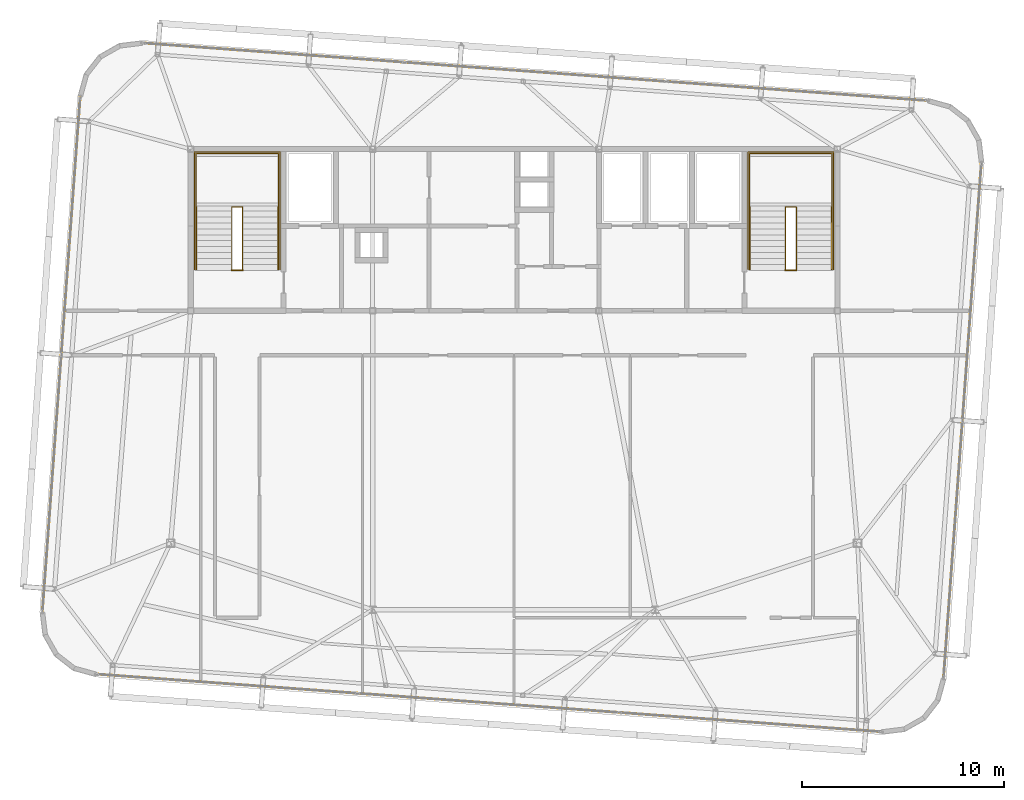
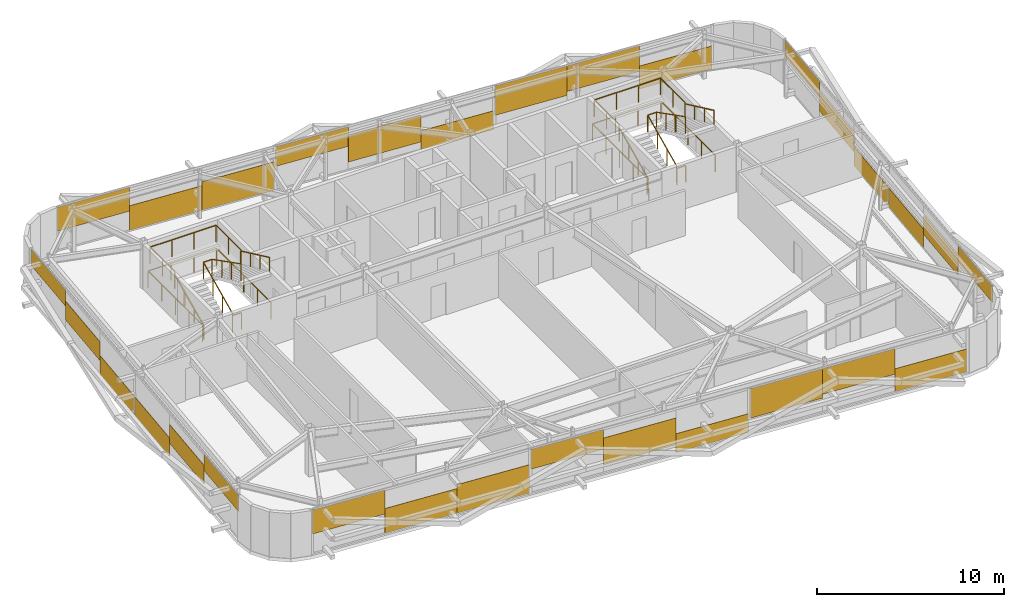
# One storey, part 34 of 34: 30 coverings, 12 railings.
"""IFC4 building model written with IfcOpenShell, lengths in metres."""

from ifc_helpers import new_model, si_unit, direction, frame, origin, origin_2d, place, context, subcontext, project, spatial, rectangle, extrude, source, transform, mapped, material, layer, layer_set, type_object, element, save


model = new_model("IFC4")

# Units and contexts
model_context = context("Model", 3, precision=1e-05, world=origin(), true_north=direction((0.0, 1.0)))
body_context = subcontext(model_context, "Body", "Model", "MODEL_VIEW")
ifc_project = project(units=[si_unit("LENGTHUNIT", "METRE"), si_unit("AREAUNIT", "SQUARE_METRE"), si_unit("VOLUMEUNIT", "CUBIC_METRE"), si_unit("PLANEANGLEUNIT", "RADIAN"), si_unit("MASSUNIT", "GRAM", prefix="KILO")], contexts=[model_context])

# Site, building, storey
site_placement = place(None, origin())
site = spatial("IfcSite", under=ifc_project, at=site_placement, CompositionType="ELEMENT")
building_placement = place(site_placement, origin())
building = spatial("IfcBuilding", under=site, at=building_placement, Name="Taldren Reach Tower", CompositionType="ELEMENT")
storey_placement = place(building_placement, frame((0.0, 0.0, 246.050048828125)))
storey = spatial("IfcBuildingStorey", under=building, at=storey_placement, Name="L75", CompositionType="ELEMENT", Elevation=246.050048828125)

# Railings
ifc_material_1 = material(Name="Steel Gr 350 (C350L0)", Category="steel")
ifc_layer_1 = layer(ifc_material_1, 0.050048828125)
ifc_layer_set_1 = layer_set([ifc_layer_1], Name="Steel Gr 350 (C350L0)")
railing_type_1 = type_object("IfcRailingType", Name="RL-STAIR-GR", PredefinedType="GUARDRAIL", material=ifc_layer_set_1)
railing_1_placement = place(storey_placement, frame((19.260009765625, 29.135009765625, 1.574951171875)))
element("IfcRailing", 1, at=railing_1_placement, inside=storey, type_object=railing_type_1, Name="Stair half-landing perimeter guard ST1-L75", PredefinedType="GUARDRAIL", context=body_context, shape_type="SweptSolid", body=[
    extrude(rectangle(XDim=0.047852, YDim=0.047852, at=origin_2d()), frame((0.0, 0.0, 1.09619140625), z_axis=(0.0, 1.0, 0.0), x_axis=(-1.0, 0.0, 0.0)), (0.0, 0.0, 1.0), 2.64501953125),
    extrude(rectangle(XDim=0.047852, YDim=0.047852, at=origin_2d()), frame((0.0, 2.64501953125, 1.09619140625), z_axis=(1.0, 0.0, 0.0), x_axis=(0.0, 1.0, 0.0)), (0.0, 0.0, 1.0), 4.080078125),
    extrude(rectangle(XDim=0.047852, YDim=0.047852, at=origin_2d()), frame((4.080078125, 2.64501953125, 1.09619140625), z_axis=(0.0, -1.0, 0.0), x_axis=(1.0, 0.0, 0.0)), (0.0, 0.0, 1.0), 2.64501953125),
    extrude(rectangle(XDim=0.041992, YDim=0.041992, at=origin_2d()), origin(), (0.0, 0.0, 1.0), 1.072021484375),
    extrude(rectangle(XDim=0.041992, YDim=0.041992, at=origin_2d()), frame((0.0, 1.322509765625, 0.0)), (0.0, 0.0, 1.0), 1.072021484375),
    extrude(rectangle(XDim=0.041992, YDim=0.041992, at=origin_2d()), frame((0.0, 2.64501953125, 0.0)), (0.0, 0.0, 1.0), 1.072021484375),
    extrude(rectangle(XDim=0.041992, YDim=0.041992, at=origin_2d()), frame((1.360107421875, 2.64501953125, 0.0)), (0.0, 0.0, 1.0), 1.072021484375),
    extrude(rectangle(XDim=0.041992, YDim=0.041992, at=origin_2d()), frame((2.719970703125, 2.64501953125, 0.0)), (0.0, 0.0, 1.0), 1.072021484375),
    extrude(rectangle(XDim=0.041992, YDim=0.041992, at=origin_2d()), frame((4.080078125, 2.64501953125, 0.0)), (0.0, 0.0, 1.0), 1.072021484375),
    extrude(rectangle(XDim=0.041992, YDim=0.041992, at=origin_2d()), frame((4.080078125, 1.322509765625, 0.0)), (0.0, 0.0, 1.0), 1.072021484375),
    extrude(rectangle(XDim=0.041992, YDim=0.041992, at=origin_2d()), frame((4.080078125, 0.0, 0.0)), (0.0, 0.0, 1.0), 1.072021484375),
])
railing_2_placement = place(storey_placement, frame((21.030029296875, 26.050048828125, 0.13134765625)))
element("IfcRailing", 2, at=railing_2_placement, inside=storey, type_object=railing_type_1, Name="Stairwell inner guard ST1-L75", PredefinedType="GUARDRAIL", context=body_context, shape_type="SweptSolid", body=[
    extrude(rectangle(XDim=0.047852, YDim=0.047852, at=origin_2d()), frame((0.0, 0.0, 1.09619140625), z_axis=(0.0, 0.905737652094, 0.423838773095), x_axis=(-1.0, 0.0, 0.0)), (0.0, 0.0, 1.0), 3.406005859375),
    extrude(rectangle(XDim=0.047852, YDim=0.047852, at=origin_2d()), frame((0.0, 3.0849609375, 2.53955078125), z_axis=(1.0, 0.0, 0.0), x_axis=(0.0, 1.0, 0.0)), (0.0, 0.0, 1.0), 0.5400390625),
    extrude(rectangle(XDim=0.047852, YDim=0.047852, at=origin_2d()), frame((0.5400390625, 3.0849609375, 2.53955078125), z_axis=(0.0, -0.890645957773, 0.45469745755), x_axis=(1.0, 0.0, 0.0)), (0.0, 0.0, 1.0), 3.463623046875),
    extrude(rectangle(XDim=0.041992, YDim=0.041992, at=origin_2d()), origin(), (0.0, 0.0, 1.0), 1.072021484375),
    extrude(rectangle(XDim=0.041992, YDim=0.041992, at=origin_2d()), frame((0.0, 1.0283203125, 0.481201171875)), (0.0, 0.0, 1.0), 1.072021484375),
    extrude(rectangle(XDim=0.041992, YDim=0.041992, at=origin_2d()), frame((0.0, 2.056640625, 0.96240234375)), (0.0, 0.0, 1.0), 1.072021484375),
    extrude(rectangle(XDim=0.041992, YDim=0.041992, at=origin_2d()), frame((0.0, 3.0849609375, 1.443603515625)), (0.0, 0.0, 1.0), 1.072021484375),
    extrude(rectangle(XDim=0.041992, YDim=0.041992, at=origin_2d()), frame((0.5400390625, 3.0849609375, 1.443603515625)), (0.0, 0.0, 1.0), 1.072021484375),
    extrude(rectangle(XDim=0.041992, YDim=0.041992, at=origin_2d()), frame((0.5400390625, 2.056640625, 1.968505859375)), (0.0, 0.0, 1.0), 1.072021484375),
    extrude(rectangle(XDim=0.041992, YDim=0.041992, at=origin_2d()), frame((0.5400390625, 1.0283203125, 2.49365234375)), (0.0, 0.0, 1.0), 1.072021484375),
    extrude(rectangle(XDim=0.041992, YDim=0.041992, at=origin_2d()), frame((0.5400390625, 0.0, 3.0185546875)), (0.0, 0.0, 1.0), 1.072021484375),
])
railing_3_placement = place(storey_placement, frame((21.030029296875, 26.010009765625, 0.0)))
element("IfcRailing", 3, at=railing_3_placement, inside=storey, type_object=railing_type_1, Name="Stairwell landing slot guard ST1-L75", PredefinedType="GUARDRAIL", context=body_context, shape_type="SweptSolid", body=[
    extrude(rectangle(XDim=0.047852, YDim=0.047852, at=origin_2d()), frame((0.0, 0.0, 1.09619140625), z_axis=(1.0, 0.0, 0.0), x_axis=(0.0, 1.0, 0.0)), (0.0, 0.0, 1.0), 0.5400390625),
    extrude(rectangle(XDim=0.041992, YDim=0.041992, at=origin_2d()), origin(), (0.0, 0.0, 1.0), 1.072021484375),
    extrude(rectangle(XDim=0.041992, YDim=0.041992, at=origin_2d()), frame((0.5400390625, 0.0, 0.0)), (0.0, 0.0, 1.0), 1.072021484375),
])
railing_4_placement = place(storey_placement, frame((19.18994140625, 26.050048828125, 0.0)))
element("IfcRailing", 4, at=railing_4_placement, inside=storey, type_object=railing_type_1, Name="Stairwell floor opening guard ST1-L75", PredefinedType="GUARDRAIL", context=body_context, shape_type="SweptSolid", body=[
    extrude(rectangle(XDim=0.047852, YDim=0.047852, at=origin_2d()), frame((0.0, 0.0, 1.09619140625), z_axis=(0.0, 1.0, 0.0), x_axis=(-1.0, 0.0, 0.0)), (0.0, 0.0, 1.0), 5.800048828125),
    extrude(rectangle(XDim=0.047852, YDim=0.047852, at=origin_2d()), frame((0.0, 5.800048828125, 1.09619140625), z_axis=(1.0, 0.0, 0.0), x_axis=(0.0, 1.0, 0.0)), (0.0, 0.0, 1.0), 4.219970703125),
    extrude(rectangle(XDim=0.047852, YDim=0.047852, at=origin_2d()), frame((4.219970703125, 5.800048828125, 1.09619140625), z_axis=(0.0, -1.0, 0.0), x_axis=(1.0, 0.0, 0.0)), (0.0, 0.0, 1.0), 5.800048828125),
    extrude(rectangle(XDim=0.041992, YDim=0.041992, at=origin_2d()), origin(), (0.0, 0.0, 1.0), 1.072021484375),
    extrude(rectangle(XDim=0.041992, YDim=0.041992, at=origin_2d()), frame((0.0, 1.449951171875, 0.0)), (0.0, 0.0, 1.0), 1.072021484375),
    extrude(rectangle(XDim=0.041992, YDim=0.041992, at=origin_2d()), frame((0.0, 2.89990234375, 0.0)), (0.0, 0.0, 1.0), 1.072021484375),
    extrude(rectangle(XDim=0.041992, YDim=0.041992, at=origin_2d()), frame((0.0, 4.35009765625, 0.0)), (0.0, 0.0, 1.0), 1.072021484375),
    extrude(rectangle(XDim=0.041992, YDim=0.041992, at=origin_2d()), frame((0.0, 5.800048828125, 0.0)), (0.0, 0.0, 1.0), 1.072021484375),
    extrude(rectangle(XDim=0.041992, YDim=0.041992, at=origin_2d()), frame((1.40673828125, 5.800048828125, 0.0)), (0.0, 0.0, 1.0), 1.072021484375),
    extrude(rectangle(XDim=0.041992, YDim=0.041992, at=origin_2d()), frame((2.813232421875, 5.800048828125, 0.0)), (0.0, 0.0, 1.0), 1.072021484375),
    extrude(rectangle(XDim=0.041992, YDim=0.041992, at=origin_2d()), frame((4.219970703125, 5.800048828125, 0.0)), (0.0, 0.0, 1.0), 1.072021484375),
    extrude(rectangle(XDim=0.041992, YDim=0.041992, at=origin_2d()), frame((4.219970703125, 4.35009765625, 0.0)), (0.0, 0.0, 1.0), 1.072021484375),
    extrude(rectangle(XDim=0.041992, YDim=0.041992, at=origin_2d()), frame((4.219970703125, 2.89990234375, 0.0)), (0.0, 0.0, 1.0), 1.072021484375),
    extrude(rectangle(XDim=0.041992, YDim=0.041992, at=origin_2d()), frame((4.219970703125, 1.449951171875, 0.0)), (0.0, 0.0, 1.0), 1.072021484375),
    extrude(rectangle(XDim=0.041992, YDim=0.041992, at=origin_2d()), frame((4.219970703125, 0.0, 0.0)), (0.0, 0.0, 1.0), 1.072021484375),
])
railing_5_placement = place(storey_placement, frame((46.659912109375, 29.135009765625, 1.574951171875)))
element("IfcRailing", 5, at=railing_5_placement, inside=storey, type_object=railing_type_1, Name="Stair half-landing perimeter guard ST2-L75", PredefinedType="GUARDRAIL", context=body_context, shape_type="SweptSolid", body=[
    extrude(rectangle(XDim=0.047852, YDim=0.047852, at=origin_2d()), frame((0.0, 0.0, 1.09619140625), z_axis=(0.0, 1.0, 0.0), x_axis=(-1.0, 0.0, 0.0)), (0.0, 0.0, 1.0), 2.64501953125),
    extrude(rectangle(XDim=0.047852, YDim=0.047852, at=origin_2d()), frame((0.0, 2.64501953125, 1.09619140625), z_axis=(1.0, 0.0, 0.0), x_axis=(0.0, 1.0, 0.0)), (0.0, 0.0, 1.0), 4.080078125),
    extrude(rectangle(XDim=0.047852, YDim=0.047852, at=origin_2d()), frame((4.080078125, 2.64501953125, 1.09619140625), z_axis=(0.0, -1.0, 0.0), x_axis=(1.0, 0.0, 0.0)), (0.0, 0.0, 1.0), 2.64501953125),
    extrude(rectangle(XDim=0.041992, YDim=0.041992, at=origin_2d()), origin(), (0.0, 0.0, 1.0), 1.072021484375),
    extrude(rectangle(XDim=0.041992, YDim=0.041992, at=origin_2d()), frame((0.0, 1.322509765625, 0.0)), (0.0, 0.0, 1.0), 1.072021484375),
    extrude(rectangle(XDim=0.041992, YDim=0.041992, at=origin_2d()), frame((0.0, 2.64501953125, 0.0)), (0.0, 0.0, 1.0), 1.072021484375),
    extrude(rectangle(XDim=0.041992, YDim=0.041992, at=origin_2d()), frame((1.360107421875, 2.64501953125, 0.0)), (0.0, 0.0, 1.0), 1.072021484375),
    extrude(rectangle(XDim=0.041992, YDim=0.041992, at=origin_2d()), frame((2.719970703125, 2.64501953125, 0.0)), (0.0, 0.0, 1.0), 1.072021484375),
    extrude(rectangle(XDim=0.041992, YDim=0.041992, at=origin_2d()), frame((4.080078125, 2.64501953125, 0.0)), (0.0, 0.0, 1.0), 1.072021484375),
    extrude(rectangle(XDim=0.041992, YDim=0.041992, at=origin_2d()), frame((4.080078125, 1.322509765625, 0.0)), (0.0, 0.0, 1.0), 1.072021484375),
    extrude(rectangle(XDim=0.041992, YDim=0.041992, at=origin_2d()), frame((4.080078125, 0.0, 0.0)), (0.0, 0.0, 1.0), 1.072021484375),
])
railing_6_placement = place(storey_placement, frame((48.429931640625, 26.050048828125, 0.13134765625)))
element("IfcRailing", 6, at=railing_6_placement, inside=storey, type_object=railing_type_1, Name="Stairwell inner guard ST2-L75", PredefinedType="GUARDRAIL", context=body_context, shape_type="SweptSolid", body=[
    extrude(rectangle(XDim=0.047852, YDim=0.047852, at=origin_2d()), frame((0.0, 0.0, 1.09619140625), z_axis=(0.0, 0.905737652094, 0.423838773095), x_axis=(-1.0, 0.0, 0.0)), (0.0, 0.0, 1.0), 3.406005859375),
    extrude(rectangle(XDim=0.047852, YDim=0.047852, at=origin_2d()), frame((0.0, 3.0849609375, 2.53955078125), z_axis=(1.0, 0.0, 0.0), x_axis=(0.0, 1.0, 0.0)), (0.0, 0.0, 1.0), 0.5400390625),
    extrude(rectangle(XDim=0.047852, YDim=0.047852, at=origin_2d()), frame((0.5400390625, 3.0849609375, 2.53955078125), z_axis=(0.0, -0.890645957773, 0.45469745755), x_axis=(1.0, 0.0, 0.0)), (0.0, 0.0, 1.0), 3.463623046875),
    extrude(rectangle(XDim=0.041992, YDim=0.041992, at=origin_2d()), origin(), (0.0, 0.0, 1.0), 1.072021484375),
    extrude(rectangle(XDim=0.041992, YDim=0.041992, at=origin_2d()), frame((0.0, 1.0283203125, 0.481201171875)), (0.0, 0.0, 1.0), 1.072021484375),
    extrude(rectangle(XDim=0.041992, YDim=0.041992, at=origin_2d()), frame((0.0, 2.056640625, 0.96240234375)), (0.0, 0.0, 1.0), 1.072021484375),
    extrude(rectangle(XDim=0.041992, YDim=0.041992, at=origin_2d()), frame((0.0, 3.0849609375, 1.443603515625)), (0.0, 0.0, 1.0), 1.072021484375),
    extrude(rectangle(XDim=0.041992, YDim=0.041992, at=origin_2d()), frame((0.5400390625, 3.0849609375, 1.443603515625)), (0.0, 0.0, 1.0), 1.072021484375),
    extrude(rectangle(XDim=0.041992, YDim=0.041992, at=origin_2d()), frame((0.5400390625, 2.056640625, 1.968505859375)), (0.0, 0.0, 1.0), 1.072021484375),
    extrude(rectangle(XDim=0.041992, YDim=0.041992, at=origin_2d()), frame((0.5400390625, 1.0283203125, 2.49365234375)), (0.0, 0.0, 1.0), 1.072021484375),
    extrude(rectangle(XDim=0.041992, YDim=0.041992, at=origin_2d()), frame((0.5400390625, 0.0, 3.0185546875)), (0.0, 0.0, 1.0), 1.072021484375),
])
railing_7_placement = place(storey_placement, frame((48.429931640625, 26.010009765625, 0.0)))
element("IfcRailing", 7, at=railing_7_placement, inside=storey, type_object=railing_type_1, Name="Stairwell landing slot guard ST2-L75", PredefinedType="GUARDRAIL", context=body_context, shape_type="SweptSolid", body=[
    extrude(rectangle(XDim=0.047852, YDim=0.047852, at=origin_2d()), frame((0.0, 0.0, 1.09619140625), z_axis=(1.0, 0.0, 0.0), x_axis=(0.0, 1.0, 0.0)), (0.0, 0.0, 1.0), 0.5400390625),
    extrude(rectangle(XDim=0.041992, YDim=0.041992, at=origin_2d()), origin(), (0.0, 0.0, 1.0), 1.072021484375),
    extrude(rectangle(XDim=0.041992, YDim=0.041992, at=origin_2d()), frame((0.5400390625, 0.0, 0.0)), (0.0, 0.0, 1.0), 1.072021484375),
])
railing_8_placement = place(storey_placement, frame((46.590087890625, 26.050048828125, 0.0)))
element("IfcRailing", 8, at=railing_8_placement, inside=storey, type_object=railing_type_1, Name="Stairwell floor opening guard ST2-L75", PredefinedType="GUARDRAIL", context=body_context, shape_type="SweptSolid", body=[
    extrude(rectangle(XDim=0.047852, YDim=0.047852, at=origin_2d()), frame((0.0, 0.0, 1.09619140625), z_axis=(0.0, 1.0, 0.0), x_axis=(-1.0, 0.0, 0.0)), (0.0, 0.0, 1.0), 5.800048828125),
    extrude(rectangle(XDim=0.047852, YDim=0.047852, at=origin_2d()), frame((0.0, 5.800048828125, 1.09619140625), z_axis=(1.0, 0.0, 0.0), x_axis=(0.0, 1.0, 0.0)), (0.0, 0.0, 1.0), 4.219970703125),
    extrude(rectangle(XDim=0.047852, YDim=0.047852, at=origin_2d()), frame((4.219970703125, 5.800048828125, 1.09619140625), z_axis=(0.0, -1.0, 0.0), x_axis=(1.0, 0.0, 0.0)), (0.0, 0.0, 1.0), 5.800048828125),
    extrude(rectangle(XDim=0.041992, YDim=0.041992, at=origin_2d()), origin(), (0.0, 0.0, 1.0), 1.072021484375),
    extrude(rectangle(XDim=0.041992, YDim=0.041992, at=origin_2d()), frame((0.0, 1.449951171875, 0.0)), (0.0, 0.0, 1.0), 1.072021484375),
    extrude(rectangle(XDim=0.041992, YDim=0.041992, at=origin_2d()), frame((0.0, 2.89990234375, 0.0)), (0.0, 0.0, 1.0), 1.072021484375),
    extrude(rectangle(XDim=0.041992, YDim=0.041992, at=origin_2d()), frame((0.0, 4.35009765625, 0.0)), (0.0, 0.0, 1.0), 1.072021484375),
    extrude(rectangle(XDim=0.041992, YDim=0.041992, at=origin_2d()), frame((0.0, 5.800048828125, 0.0)), (0.0, 0.0, 1.0), 1.072021484375),
    extrude(rectangle(XDim=0.041992, YDim=0.041992, at=origin_2d()), frame((1.40673828125, 5.800048828125, 0.0)), (0.0, 0.0, 1.0), 1.072021484375),
    extrude(rectangle(XDim=0.041992, YDim=0.041992, at=origin_2d()), frame((2.813232421875, 5.800048828125, 0.0)), (0.0, 0.0, 1.0), 1.072021484375),
    extrude(rectangle(XDim=0.041992, YDim=0.041992, at=origin_2d()), frame((4.219970703125, 5.800048828125, 0.0)), (0.0, 0.0, 1.0), 1.072021484375),
    extrude(rectangle(XDim=0.041992, YDim=0.041992, at=origin_2d()), frame((4.219970703125, 4.35009765625, 0.0)), (0.0, 0.0, 1.0), 1.072021484375),
    extrude(rectangle(XDim=0.041992, YDim=0.041992, at=origin_2d()), frame((4.219970703125, 2.89990234375, 0.0)), (0.0, 0.0, 1.0), 1.072021484375),
    extrude(rectangle(XDim=0.041992, YDim=0.041992, at=origin_2d()), frame((4.219970703125, 1.449951171875, 0.0)), (0.0, 0.0, 1.0), 1.072021484375),
    extrude(rectangle(XDim=0.041992, YDim=0.041992, at=origin_2d()), frame((4.219970703125, 0.0, 0.0)), (0.0, 0.0, 1.0), 1.072021484375),
])
ifc_material_2 = material(Name="Stainless Steel Gr 316", Category="steel")
ifc_layer_2 = layer(ifc_material_2, 0.048095703125)
ifc_layer_set_2 = layer_set([ifc_layer_2], Name="Stainless Steel Gr 316")
railing_type_2 = type_object("IfcRailingType", Name="RL-STAIR-HR", PredefinedType="HANDRAIL", material=ifc_layer_set_2)
railing_9_placement = place(storey_placement, frame((19.27001953125, 26.050048828125, 0.13134765625)))
element("IfcRailing", 9, at=railing_9_placement, inside=storey, type_object=railing_type_2, Name="Stair flight handrail ST1-L75-1", PredefinedType="HANDRAIL", context=body_context, shape_type="SweptSolid", body=[
    extrude(rectangle(XDim=0.047852, YDim=0.047852, at=origin_2d()), frame((0.0, 0.0, 0.89599609375), z_axis=(0.0, 0.905737652094, 0.423838773095), x_axis=(-1.0, 0.0, 0.0)), (0.0, 0.0, 1.0), 3.406005859375),
    extrude(rectangle(XDim=0.041992, YDim=0.041992, at=origin_2d()), origin(), (0.0, 0.0, 1.0), 0.871826171875),
    extrude(rectangle(XDim=0.041992, YDim=0.041992, at=origin_2d()), frame((0.0, 1.0283203125, 0.481201171875)), (0.0, 0.0, 1.0), 0.871826171875),
    extrude(rectangle(XDim=0.041992, YDim=0.041992, at=origin_2d()), frame((0.0, 2.056640625, 0.96240234375)), (0.0, 0.0, 1.0), 0.871826171875),
    extrude(rectangle(XDim=0.041992, YDim=0.041992, at=origin_2d()), frame((0.0, 3.0849609375, 1.443603515625)), (0.0, 0.0, 1.0), 0.871826171875),
])
railing_10_placement = place(storey_placement, frame((23.330078125, 29.135009765625, 1.7060546875)))
element("IfcRailing", 10, at=railing_10_placement, inside=storey, type_object=railing_type_2, Name="Stair flight handrail ST1-L75-2", PredefinedType="HANDRAIL", context=body_context, shape_type="SweptSolid", body=[
    extrude(rectangle(XDim=0.047852, YDim=0.047852, at=origin_2d()), frame((0.0, 0.0, 0.89599609375), z_axis=(0.0, -0.905710134349, 0.423897573167), x_axis=(1.0, 0.0, 0.0)), (0.0, 0.0, 1.0), 3.406005859375),
    extrude(rectangle(XDim=0.041992, YDim=0.041992, at=origin_2d()), origin(), (0.0, 0.0, 1.0), 0.871826171875),
    extrude(rectangle(XDim=0.041992, YDim=0.041992, at=origin_2d()), frame((0.0, -1.0283203125, 0.481201171875)), (0.0, 0.0, 1.0), 0.871826171875),
    extrude(rectangle(XDim=0.041992, YDim=0.041992, at=origin_2d()), frame((0.0, -2.056640625, 0.962646484375)), (0.0, 0.0, 1.0), 0.871826171875),
    extrude(rectangle(XDim=0.041992, YDim=0.041992, at=origin_2d()), frame((0.0, -3.0849609375, 1.44384765625)), (0.0, 0.0, 1.0), 0.871826171875),
])
railing_11_placement = place(storey_placement, frame((46.669921875, 26.050048828125, 0.13134765625)))
element("IfcRailing", 11, at=railing_11_placement, inside=storey, type_object=railing_type_2, Name="Stair flight handrail ST2-L75-1", PredefinedType="HANDRAIL", context=body_context, shape_type="SweptSolid", body=[
    extrude(rectangle(XDim=0.047852, YDim=0.047852, at=origin_2d()), frame((0.0, 0.0, 0.89599609375), z_axis=(0.0, 0.905737652094, 0.423838773095), x_axis=(-1.0, 0.0, 0.0)), (0.0, 0.0, 1.0), 3.406005859375),
    extrude(rectangle(XDim=0.041992, YDim=0.041992, at=origin_2d()), origin(), (0.0, 0.0, 1.0), 0.871826171875),
    extrude(rectangle(XDim=0.041992, YDim=0.041992, at=origin_2d()), frame((0.0, 1.0283203125, 0.481201171875)), (0.0, 0.0, 1.0), 0.871826171875),
    extrude(rectangle(XDim=0.041992, YDim=0.041992, at=origin_2d()), frame((0.0, 2.056640625, 0.96240234375)), (0.0, 0.0, 1.0), 0.871826171875),
    extrude(rectangle(XDim=0.041992, YDim=0.041992, at=origin_2d()), frame((0.0, 3.0849609375, 1.443603515625)), (0.0, 0.0, 1.0), 0.871826171875),
])
railing_12_placement = place(storey_placement, frame((50.72998046875, 29.135009765625, 1.7060546875)))
element("IfcRailing", 12, at=railing_12_placement, inside=storey, type_object=railing_type_2, Name="Stair flight handrail ST2-L75-2", PredefinedType="HANDRAIL", context=body_context, shape_type="SweptSolid", body=[
    extrude(rectangle(XDim=0.047852, YDim=0.047852, at=origin_2d()), frame((0.0, 0.0, 0.89599609375), z_axis=(0.0, -0.905710134349, 0.423897573167), x_axis=(1.0, 0.0, 0.0)), (0.0, 0.0, 1.0), 3.406005859375),
    extrude(rectangle(XDim=0.041992, YDim=0.041992, at=origin_2d()), origin(), (0.0, 0.0, 1.0), 0.871826171875),
    extrude(rectangle(XDim=0.041992, YDim=0.041992, at=origin_2d()), frame((0.0, -1.0283203125, 0.481201171875)), (0.0, 0.0, 1.0), 0.871826171875),
    extrude(rectangle(XDim=0.041992, YDim=0.041992, at=origin_2d()), frame((0.0, -2.056640625, 0.962646484375)), (0.0, 0.0, 1.0), 0.871826171875),
    extrude(rectangle(XDim=0.041992, YDim=0.041992, at=origin_2d()), frame((0.0, -3.0849609375, 1.44384765625)), (0.0, 0.0, 1.0), 0.871826171875),
])

# Coverings
ifc_material_3 = material(Name="Pale Champagne Fluoropolymer Aluminium Spandrel Cladding", Category="aluminium")
ifc_layer_3 = layer(ifc_material_3, 0.0439453125)
ifc_layer_set_3 = layer_set([ifc_layer_3], Name="Pale Champagne Fluoropolymer Aluminium Spandrel Cladding")
covering_type = type_object("IfcCoveringType", Name="CV-CLAD-044", PredefinedType="CLADDING", material=ifc_layer_set_3)
shared_shape_1 = source(origin(), body_context, "Body", "SweptSolid", [
    extrude(rectangle(XDim=4.2958984375, YDim=0.0439453125, at=origin_2d()), origin(), (0.0, 0.0, 1.0), 1.495849609375),
])
for number, where, z_axis, x_axis, name in (
    (13, (50.98388671875, 3.316650390625, 0.06005859375), (0.0, 0.0, 1.0), (0.997314476006, -0.073238213716, 0.0), "Diagrid closure cladding strip CW-6 panel 3.1 3"),
    (14, (53.277587890625, 34.552490234375, 0.06005859375), (0.0, 0.0, 1.0), (-0.997314476006, 0.073238213716, 0.0), "Diagrid closure cladding strip CW-6 panel 1.1 1"),
):
    element("IfcCovering", number, at=place(storey_placement, frame(where, z_axis=z_axis, x_axis=x_axis)), inside=storey, type_object=covering_type, Name=name, PredefinedType="CLADDING", context=body_context, shape_type="MappedRepresentation", body=[
        mapped(shared_shape_1, transform((0.0, 0.0, 0.0), scale=1.0)),
    ])
shared_shape_2 = source(origin(), body_context, "Body", "SweptSolid", [
    extrude(rectangle(XDim=4.2958984375, YDim=0.0439453125, at=origin_2d()), origin(), (0.0, 0.0, 1.0), 1.665771484375),
])
for number, where, z_axis, x_axis, name in (
    (15, (46.699462890625, 3.63134765625, 1.2041015625), (0.0, 0.0, 1.0), (0.997314476006, -0.073238213716, 0.0), "Diagrid closure cladding strip CW-6 panel 3.1 2"),
    (16, (48.993408203125, 34.8671875, 1.2041015625), (0.0, 0.0, 1.0), (-0.997314476006, 0.073238213716, 0.0), "Diagrid closure cladding strip CW-6 panel 1.1 2"),
):
    element("IfcCovering", number, at=place(storey_placement, frame(where, z_axis=z_axis, x_axis=x_axis)), inside=storey, type_object=covering_type, Name=name, PredefinedType="CLADDING", context=body_context, shape_type="MappedRepresentation", body=[
        mapped(shared_shape_2, transform((0.0, 0.0, 0.0), scale=1.0)),
    ])
shared_shape_3 = source(origin(), body_context, "Body", "SweptSolid", [
    extrude(rectangle(XDim=4.2958984375, YDim=0.0439453125, at=origin_2d()), origin(), (0.0, 0.0, 1.0), 1.9169921875),
])
for number, where, z_axis, x_axis, name in (
    (17, (42.415283203125, 3.946044921875, 0.952880859375), (0.0, 0.0, 1.0), (0.997314476006, -0.073238213716, 0.0), "Diagrid closure cladding strip CW-6 panel 3.1 1"),
    (18, (44.708984375, 35.181884765625, 0.952880859375), (0.0, 0.0, 1.0), (-0.997314476006, 0.073238213716, 0.0), "Diagrid closure cladding strip CW-6 panel 1.1 3"),
):
    element("IfcCovering", number, at=place(storey_placement, frame(where, z_axis=z_axis, x_axis=x_axis)), inside=storey, type_object=covering_type, Name=name, PredefinedType="CLADDING", context=body_context, shape_type="MappedRepresentation", body=[
        mapped(shared_shape_3, transform((0.0, 0.0, 0.0), scale=1.0)),
    ])
shared_shape_4 = source(origin(), body_context, "Body", "SweptSolid", [
    extrude(rectangle(XDim=4.308349609375, YDim=0.0439453125, at=origin_2d()), origin(), (0.0, 0.0, 1.0), 1.22021484375),
])
for number, where, z_axis, x_axis, name in (
    (19, (38.0498046875, 4.2666015625, 0.06005859375), (0.0, 0.0, 1.0), (0.997314476006, -0.073238213716, 0.0), "Diagrid closure cladding strip CW-6 panel 2.1 3"),
    (20, (40.34375, 35.50244140625, 0.06005859375), (0.0, 0.0, 1.0), (-0.997314476006, 0.073238213716, 0.0), "Diagrid closure cladding strip CW-6 panel 2.1 1"),
):
    element("IfcCovering", number, at=place(storey_placement, frame(where, z_axis=z_axis, x_axis=x_axis)), inside=storey, type_object=covering_type, Name=name, PredefinedType="CLADDING", context=body_context, shape_type="MappedRepresentation", body=[
        mapped(shared_shape_4, transform((0.0, 0.0, 0.0), scale=1.0)),
    ])
shared_shape_5 = source(origin(), body_context, "Body", "SweptSolid", [
    extrude(rectangle(XDim=4.308349609375, YDim=0.0439453125, at=origin_2d()), origin(), (0.0, 0.0, 1.0), 1.75146484375),
])
for number, where, z_axis, x_axis, name in (
    (21, (33.753173828125, 4.58203125, 0.559326171875), (0.0, 0.0, 1.0), (0.997314476006, -0.073238213716, 0.0), "Diagrid closure cladding strip CW-6 panel 2.1 2"),
    (22, (36.046875, 35.81787109375, 0.559326171875), (0.0, 0.0, 1.0), (-0.997314476006, 0.073238213716, 0.0), "Diagrid closure cladding strip CW-6 panel 2.1 2"),
):
    element("IfcCovering", number, at=place(storey_placement, frame(where, z_axis=z_axis, x_axis=x_axis)), inside=storey, type_object=covering_type, Name=name, PredefinedType="CLADDING", context=body_context, shape_type="MappedRepresentation", body=[
        mapped(shared_shape_5, transform((0.0, 0.0, 0.0), scale=1.0)),
    ])
shared_shape_6 = source(origin(), body_context, "Body", "SweptSolid", [
    extrude(rectangle(XDim=4.308349609375, YDim=0.0439453125, at=origin_2d()), origin(), (0.0, 0.0, 1.0), 1.2802734375),
])
for number, where, z_axis, x_axis, name in (
    (23, (29.456298828125, 4.897705078125, 1.589599609375), (0.0, 0.0, 1.0), (0.997314476006, -0.073238213716, 0.0), "Diagrid closure cladding strip CW-6 panel 2.1 1"),
    (24, (31.750244140625, 36.133544921875, 1.589599609375), (0.0, 0.0, 1.0), (-0.997314476006, 0.073238213716, 0.0), "Diagrid closure cladding strip CW-6 panel 2.1 3"),
):
    element("IfcCovering", number, at=place(storey_placement, frame(where, z_axis=z_axis, x_axis=x_axis)), inside=storey, type_object=covering_type, Name=name, PredefinedType="CLADDING", context=body_context, shape_type="MappedRepresentation", body=[
        mapped(shared_shape_6, transform((0.0, 0.0, 0.0), scale=1.0)),
    ])
shared_shape_7 = source(origin(), body_context, "Body", "SweptSolid", [
    extrude(rectangle(XDim=4.2958984375, YDim=0.0439453125, at=origin_2d()), origin(), (0.0, 0.0, 1.0), 1.85693359375),
])
for number, where, z_axis, x_axis, name in (
    (25, (25.091064453125, 5.21826171875, 0.06005859375), (0.0, 0.0, 1.0), (0.997314476006, -0.073238213716, 0.0), "Diagrid closure cladding strip CW-6 panel 1.1 3"),
    (26, (27.384765625, 36.4541015625, 0.06005859375), (0.0, 0.0, 1.0), (-0.997314476006, 0.073238213716, 0.0), "Diagrid closure cladding strip CW-6 panel 3.1 1"),
):
    element("IfcCovering", number, at=place(storey_placement, frame(where, z_axis=z_axis, x_axis=x_axis)), inside=storey, type_object=covering_type, Name=name, PredefinedType="CLADDING", context=body_context, shape_type="MappedRepresentation", body=[
        mapped(shared_shape_7, transform((0.0, 0.0, 0.0), scale=1.0)),
    ])
shared_shape_8 = source(origin(), body_context, "Body", "SweptSolid", [
    extrude(rectangle(XDim=4.2958984375, YDim=0.0439453125, at=origin_2d()), origin(), (0.0, 0.0, 1.0), 1.605712890625),
])
for number, where, z_axis, x_axis, name in (
    (27, (20.806640625, 5.53271484375, 0.06005859375), (0.0, 0.0, 1.0), (0.997314476006, -0.073238213716, 0.0), "Diagrid closure cladding strip CW-6 panel 1.1 2"),
    (28, (23.1005859375, 36.7685546875, 0.06005859375), (0.0, 0.0, 1.0), (-0.997314476006, 0.073238213716, 0.0), "Diagrid closure cladding strip CW-6 panel 3.1 2"),
):
    element("IfcCovering", number, at=place(storey_placement, frame(where, z_axis=z_axis, x_axis=x_axis)), inside=storey, type_object=covering_type, Name=name, PredefinedType="CLADDING", context=body_context, shape_type="MappedRepresentation", body=[
        mapped(shared_shape_8, transform((0.0, 0.0, 0.0), scale=1.0)),
    ])
shared_shape_9 = source(origin(), body_context, "Body", "SweptSolid", [
    extrude(rectangle(XDim=4.2958984375, YDim=0.0439453125, at=origin_2d()), origin(), (0.0, 0.0, 1.0), 1.555908203125),
])
for number, where, z_axis, x_axis, name in (
    (29, (16.5224609375, 5.847412109375, 1.31396484375), (0.0, 0.0, 1.0), (0.997314476006, -0.073238213716, 0.0), "Diagrid closure cladding strip CW-6 panel 1.1 1"),
    (30, (18.816162109375, 37.083251953125, 1.31396484375), (0.0, 0.0, 1.0), (-0.997314476006, 0.073238213716, 0.0), "Diagrid closure cladding strip CW-6 panel 3.1 3"),
):
    element("IfcCovering", number, at=place(storey_placement, frame(where, z_axis=z_axis, x_axis=x_axis)), inside=storey, type_object=covering_type, Name=name, PredefinedType="CLADDING", context=body_context, shape_type="MappedRepresentation", body=[
        mapped(shared_shape_9, transform((0.0, 0.0, 0.0), scale=1.0)),
    ])
shared_shape_10 = source(origin(), body_context, "Body", "SweptSolid", [
    extrude(rectangle(XDim=4.229248046875, YDim=0.0439453125, at=origin_2d()), origin(), (0.0, 0.0, 1.0), 1.22802734375),
])
for number, where, z_axis, x_axis, name in (
    (31, (13.0673828125, 28.20166015625, 0.942626953125), (0.0, 0.0, 1.0), (-0.073238282558, -0.997314470951, 0.0), "Diagrid closure cladding strip CW-6 panel 1.1 2"),
    (32, (12.1328125, 15.473388671875, 0.942626953125), (0.0, 0.0, 1.0), (-0.073238282558, -0.997314470951, 0.0), "Diagrid closure cladding strip CW-6 panel 2.1 2"),
    (33, (56.732666015625, 12.1982421875, 0.942626953125), (0.0, 0.0, 1.0), (0.073238282558, 0.997314470951, 0.0), "Diagrid closure cladding strip CW-6 panel 1.1 2"),
    (34, (57.667236328125, 24.926513671875, 0.942626953125), (0.0, 0.0, 1.0), (0.073238282558, 0.997314470951, 0.0), "Diagrid closure cladding strip CW-6 panel 2.1 2"),
):
    element("IfcCovering", number, at=place(storey_placement, frame(where, z_axis=z_axis, x_axis=x_axis)), inside=storey, type_object=covering_type, Name=name, PredefinedType="CLADDING", context=body_context, shape_type="MappedRepresentation", body=[
        mapped(shared_shape_10, transform((0.0, 0.0, 0.0), scale=1.0)),
    ])
shared_shape_11 = source(origin(), body_context, "Body", "SweptSolid", [
    extrude(rectangle(XDim=4.229248046875, YDim=0.0439453125, at=origin_2d()), origin(), (0.0, 0.0, 1.0), 1.041259765625),
])
for number, where, z_axis, x_axis, name in (
    (35, (13.377197265625, 32.41943359375, 1.82861328125), (0.0, 0.0, 1.0), (-0.073238282558, -0.997314470951, 0.0), "Diagrid closure cladding strip CW-6 panel 1.1 1"),
    (36, (11.822998046875, 11.255615234375, 1.82861328125), (0.0, 0.0, 1.0), (-0.073238282558, -0.997314470951, 0.0), "Diagrid closure cladding strip CW-6 panel 2.1 3"),
    (37, (56.4228515625, 7.98046875, 1.82861328125), (0.0, 0.0, 1.0), (0.073238282558, 0.997314470951, 0.0), "Diagrid closure cladding strip CW-6 panel 1.1 1"),
    (38, (57.97705078125, 29.144287109375, 1.82861328125), (0.0, 0.0, 1.0), (0.073238282558, 0.997314470951, 0.0), "Diagrid closure cladding strip CW-6 panel 2.1 3"),
):
    element("IfcCovering", number, at=place(storey_placement, frame(where, z_axis=z_axis, x_axis=x_axis)), inside=storey, type_object=covering_type, Name=name, PredefinedType="CLADDING", context=body_context, shape_type="MappedRepresentation", body=[
        mapped(shared_shape_11, transform((0.0, 0.0, 0.0), scale=1.0)),
    ])
shared_shape_12 = source(origin(), body_context, "Body", "SweptSolid", [
    extrude(rectangle(XDim=4.229248046875, YDim=0.0439453125, at=origin_2d()), origin(), (0.0, 0.0, 1.0), 1.224853515625),
])
for number, where, z_axis, x_axis, name in (
    (39, (12.757568359375, 23.98388671875, 0.06005859375), (0.0, 0.0, 1.0), (-0.073238282558, -0.997314470951, 0.0), "Diagrid closure cladding strip CW-6 panel 1.1 3"),
    (40, (12.4423828125, 19.69140625, 0.06005859375), (0.0, 0.0, 1.0), (-0.073238282558, -0.997314470951, 0.0), "Diagrid closure cladding strip CW-6 panel 2.1 1"),
    (41, (57.042236328125, 16.416015625, 0.06005859375), (0.0, 0.0, 1.0), (0.073238282558, 0.997314470951, 0.0), "Diagrid closure cladding strip CW-6 panel 1.1 3"),
    (42, (57.357666015625, 20.708740234375, 0.06005859375), (0.0, 0.0, 1.0), (0.073238282558, 0.997314470951, 0.0), "Diagrid closure cladding strip CW-6 panel 2.1 1"),
):
    element("IfcCovering", number, at=place(storey_placement, frame(where, z_axis=z_axis, x_axis=x_axis)), inside=storey, type_object=covering_type, Name=name, PredefinedType="CLADDING", context=body_context, shape_type="MappedRepresentation", body=[
        mapped(shared_shape_12, transform((0.0, 0.0, 0.0), scale=1.0)),
    ])

save(model, "model.ifc")
